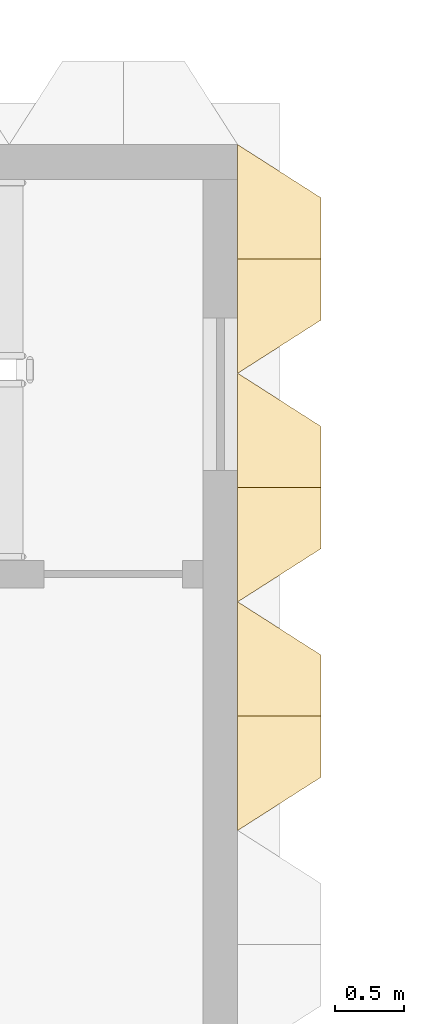
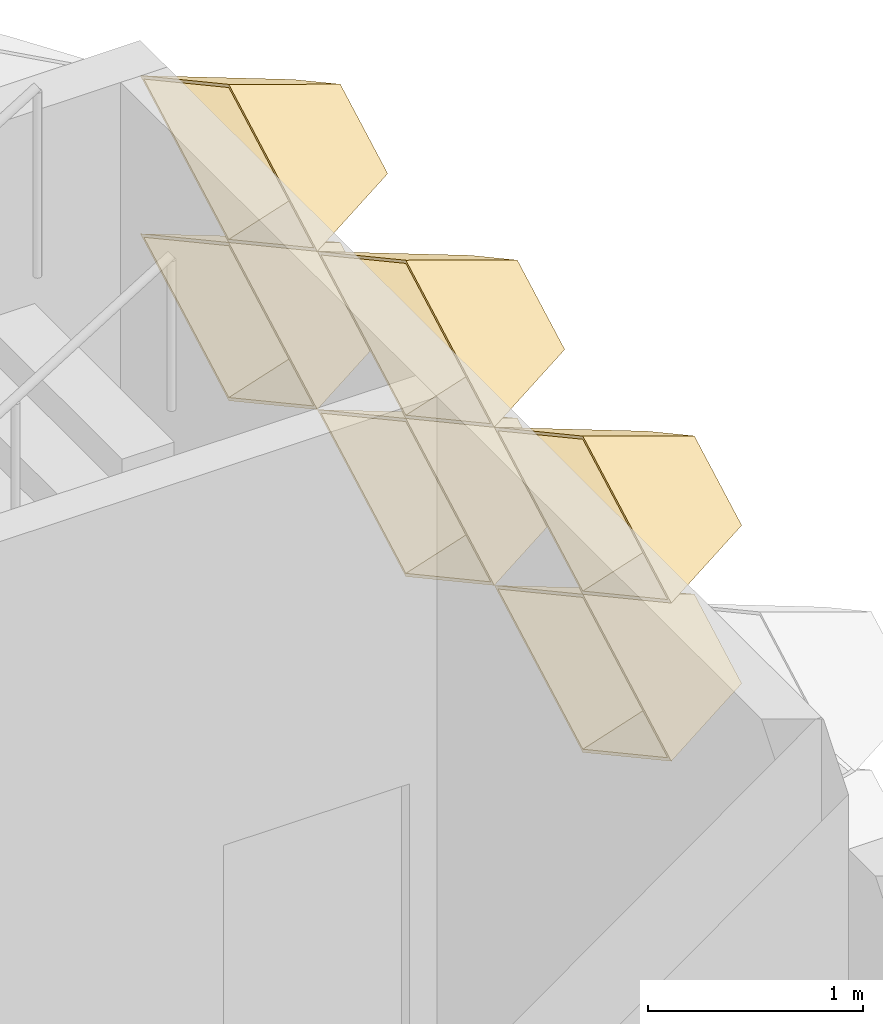
# One storey, part 100 of 109: 6 coverings.
"""IFC4 building model written with IfcOpenShell, lengths in metres."""

from ifc_helpers import new_model, entity, si_unit, direction, frame, origin, place, context, subcontext, project, spatial, material, layer, layer_set, type_object, element, save


model = new_model("IFC4")

# Units and contexts
model_context = context("Model", 3, precision=1e-05, world=origin(), true_north=direction((0.0, 1.0)))
body_context = subcontext(model_context, "Body", "Model", "MODEL_VIEW")
ifc_project = project(units=[si_unit("LENGTHUNIT", "METRE"), si_unit("AREAUNIT", "SQUARE_METRE"), si_unit("VOLUMEUNIT", "CUBIC_METRE"), si_unit("PLANEANGLEUNIT", "RADIAN"), si_unit("MASSUNIT", "GRAM", prefix="KILO")], contexts=[model_context])

# Site, building, storey
site_placement = place(None, origin())
site = spatial("IfcSite", under=ifc_project, at=site_placement, CompositionType="ELEMENT")
building_placement = place(site_placement, origin())
building = spatial("IfcBuilding", under=site, at=building_placement, Name="Lantern Court Research Institute", CompositionType="ELEMENT")
storey_placement = place(building_placement, frame((0.0, 0.0, 14.39990234375)))
storey = spatial("IfcBuildingStorey", under=building, at=storey_placement, Name="L03", CompositionType="ELEMENT", Elevation=14.39990234375)

# Coverings
ifc_material = material(Name="Anodised aluminium", Category="aluminium")
ifc_layer = layer(ifc_material, 0.01611328125)
ifc_layer_set = layer_set([ifc_layer], Name="Anodised aluminium")
covering_type = type_object("IfcCoveringType", Name="Fin cassette 1650 x 900 x 600 aluminium", PredefinedType="CLADDING", material=ifc_layer_set)
covering_1_placement = place(storey_placement, frame((79.199951171875, 94.875, 3.150146484375), z_axis=(1.0, 0.0, 0.0), x_axis=(0.0, 1.0, 0.0)))
cartesian_point_1 = entity("IfcCartesianPoint", [0.824951171875, 0.0])
cartesian_point_2 = entity("IfcCartesianPoint", [0.79150390625, 0.0])
cartesian_point_3 = entity("IfcCartesianPoint", [0.44189453125, 0.0])
cartesian_point_4 = entity("IfcCartesianPoint", [0.43359375, 0.0])
element("IfcCovering", 1, at=covering_1_placement, inside=storey, type_object=covering_type, Name="Fin cassette V6E-L03 4.58", PredefinedType="CLADDING", context=body_context, shape_type="SweptSolid", body=[
    entity("IfcExtrudedAreaSolidTapered", entity("IfcArbitraryProfileDefWithVoids", "AREA", None, entity("IfcPolyline", [cartesian_point_1, entity("IfcCartesianPoint", [0.0, 0.449951171875]), entity("IfcCartesianPoint", [-0.824951171875, 0.0]), entity("IfcCartesianPoint", [0.0, -0.449951171875]), cartesian_point_1]), [entity("IfcPolyline", [cartesian_point_2, entity("IfcCartesianPoint", [0.0, 0.431884765625]), entity("IfcCartesianPoint", [-0.79150390625, 0.0]), entity("IfcCartesianPoint", [0.0, -0.431884765625]), cartesian_point_2])]), entity("IfcAxis2Placement3D", entity("IfcCartesianPoint", [0.0, 0.0, 0.0])), entity("IfcDirection", [0.0, 0.0, 1.0]), 0.60009765625, entity("IfcArbitraryProfileDefWithVoids", "AREA", None, entity("IfcPolyline", [cartesian_point_3, entity("IfcCartesianPoint", [0.0, 0.240966796875]), entity("IfcCartesianPoint", [-0.44189453125, 0.0]), entity("IfcCartesianPoint", [0.0, -0.240966796875]), cartesian_point_3]), [entity("IfcPolyline", [cartesian_point_4, entity("IfcCartesianPoint", [0.0, 0.236572265625]), entity("IfcCartesianPoint", [-0.43359375, 0.0]), entity("IfcCartesianPoint", [0.0, -0.236572265625]), cartesian_point_4])])),
])
covering_2_placement = place(storey_placement, frame((79.199951171875, 96.52490234375, 3.150146484375), z_axis=(1.0, 0.0, 0.0), x_axis=(0.0, 1.0, 0.0)))
cartesian_point_5 = entity("IfcCartesianPoint", [0.824951171875, 0.0])
cartesian_point_6 = entity("IfcCartesianPoint", [0.79150390625, 0.0])
cartesian_point_7 = entity("IfcCartesianPoint", [0.44189453125, 0.0])
cartesian_point_8 = entity("IfcCartesianPoint", [0.43359375, 0.0])
element("IfcCovering", 2, at=covering_2_placement, inside=storey, type_object=covering_type, Name="Fin cassette V6E-L03 4.59", PredefinedType="CLADDING", context=body_context, shape_type="SweptSolid", body=[
    entity("IfcExtrudedAreaSolidTapered", entity("IfcArbitraryProfileDefWithVoids", "AREA", None, entity("IfcPolyline", [cartesian_point_5, entity("IfcCartesianPoint", [0.0, 0.449951171875]), entity("IfcCartesianPoint", [-0.824951171875, 0.0]), entity("IfcCartesianPoint", [0.0, -0.449951171875]), cartesian_point_5]), [entity("IfcPolyline", [cartesian_point_6, entity("IfcCartesianPoint", [0.0, 0.431884765625]), entity("IfcCartesianPoint", [-0.79150390625, 0.0]), entity("IfcCartesianPoint", [0.0, -0.431884765625]), cartesian_point_6])]), entity("IfcAxis2Placement3D", entity("IfcCartesianPoint", [0.0, 0.0, 0.0])), entity("IfcDirection", [0.0, 0.0, 1.0]), 0.60009765625, entity("IfcArbitraryProfileDefWithVoids", "AREA", None, entity("IfcPolyline", [cartesian_point_7, entity("IfcCartesianPoint", [0.0, 0.240966796875]), entity("IfcCartesianPoint", [-0.44189453125, 0.0]), entity("IfcCartesianPoint", [0.0, -0.240966796875]), cartesian_point_7]), [entity("IfcPolyline", [cartesian_point_8, entity("IfcCartesianPoint", [0.0, 0.236572265625]), entity("IfcCartesianPoint", [-0.43359375, 0.0]), entity("IfcCartesianPoint", [0.0, -0.236572265625]), cartesian_point_8])])),
])
covering_3_placement = place(storey_placement, frame((79.199951171875, 98.175048828125, 3.150146484375), z_axis=(1.0, 0.0, 0.0), x_axis=(0.0, 1.0, 0.0)))
cartesian_point_9 = entity("IfcCartesianPoint", [0.824951171875, 0.0])
cartesian_point_10 = entity("IfcCartesianPoint", [0.79150390625, 0.0])
cartesian_point_11 = entity("IfcCartesianPoint", [0.44189453125, 0.0])
cartesian_point_12 = entity("IfcCartesianPoint", [0.43359375, 0.0])
element("IfcCovering", 3, at=covering_3_placement, inside=storey, type_object=covering_type, Name="Fin cassette V6E-L03 4.60", PredefinedType="CLADDING", context=body_context, shape_type="SweptSolid", body=[
    entity("IfcExtrudedAreaSolidTapered", entity("IfcArbitraryProfileDefWithVoids", "AREA", None, entity("IfcPolyline", [cartesian_point_9, entity("IfcCartesianPoint", [0.0, 0.449951171875]), entity("IfcCartesianPoint", [-0.824951171875, 0.0]), entity("IfcCartesianPoint", [0.0, -0.449951171875]), cartesian_point_9]), [entity("IfcPolyline", [cartesian_point_10, entity("IfcCartesianPoint", [0.0, 0.431884765625]), entity("IfcCartesianPoint", [-0.79150390625, 0.0]), entity("IfcCartesianPoint", [0.0, -0.431884765625]), cartesian_point_10])]), entity("IfcAxis2Placement3D", entity("IfcCartesianPoint", [0.0, 0.0, 0.0])), entity("IfcDirection", [0.0, 0.0, 1.0]), 0.60009765625, entity("IfcArbitraryProfileDefWithVoids", "AREA", None, entity("IfcPolyline", [cartesian_point_11, entity("IfcCartesianPoint", [0.0, 0.240966796875]), entity("IfcCartesianPoint", [-0.44189453125, 0.0]), entity("IfcCartesianPoint", [0.0, -0.240966796875]), cartesian_point_11]), [entity("IfcPolyline", [cartesian_point_12, entity("IfcCartesianPoint", [0.0, 0.236572265625]), entity("IfcCartesianPoint", [-0.43359375, 0.0]), entity("IfcCartesianPoint", [0.0, -0.236572265625]), cartesian_point_12])])),
])
covering_4_placement = place(storey_placement, frame((79.199951171875, 94.875, 4.050048828125), z_axis=(1.0, 0.0, 0.0), x_axis=(0.0, 1.0, 0.0)))
cartesian_point_13 = entity("IfcCartesianPoint", [0.824951171875, 0.0])
cartesian_point_14 = entity("IfcCartesianPoint", [0.79150390625, 0.0])
cartesian_point_15 = entity("IfcCartesianPoint", [0.44189453125, 0.0])
cartesian_point_16 = entity("IfcCartesianPoint", [0.43359375, 0.0])
element("IfcCovering", 4, at=covering_4_placement, inside=storey, type_object=covering_type, Name="Fin cassette V6E-L03 5.58", PredefinedType="CLADDING", context=body_context, shape_type="SweptSolid", body=[
    entity("IfcExtrudedAreaSolidTapered", entity("IfcArbitraryProfileDefWithVoids", "AREA", None, entity("IfcPolyline", [cartesian_point_13, entity("IfcCartesianPoint", [0.0, 0.449951171875]), entity("IfcCartesianPoint", [-0.824951171875, 0.0]), entity("IfcCartesianPoint", [0.0, -0.449951171875]), cartesian_point_13]), [entity("IfcPolyline", [cartesian_point_14, entity("IfcCartesianPoint", [0.0, 0.431884765625]), entity("IfcCartesianPoint", [-0.79150390625, 0.0]), entity("IfcCartesianPoint", [0.0, -0.431884765625]), cartesian_point_14])]), entity("IfcAxis2Placement3D", entity("IfcCartesianPoint", [0.0, 0.0, 0.0])), entity("IfcDirection", [0.0, 0.0, 1.0]), 0.60009765625, entity("IfcArbitraryProfileDefWithVoids", "AREA", None, entity("IfcPolyline", [cartesian_point_15, entity("IfcCartesianPoint", [0.0, 0.240966796875]), entity("IfcCartesianPoint", [-0.44189453125, 0.0]), entity("IfcCartesianPoint", [0.0, -0.240966796875]), cartesian_point_15]), [entity("IfcPolyline", [cartesian_point_16, entity("IfcCartesianPoint", [0.0, 0.236572265625]), entity("IfcCartesianPoint", [-0.43359375, 0.0]), entity("IfcCartesianPoint", [0.0, -0.236572265625]), cartesian_point_16])])),
])
covering_5_placement = place(storey_placement, frame((79.199951171875, 96.52490234375, 4.050048828125), z_axis=(1.0, 0.0, 0.0), x_axis=(0.0, 1.0, 0.0)))
cartesian_point_17 = entity("IfcCartesianPoint", [0.824951171875, 0.0])
cartesian_point_18 = entity("IfcCartesianPoint", [0.79150390625, 0.0])
cartesian_point_19 = entity("IfcCartesianPoint", [0.44189453125, 0.0])
cartesian_point_20 = entity("IfcCartesianPoint", [0.43359375, 0.0])
element("IfcCovering", 5, at=covering_5_placement, inside=storey, type_object=covering_type, Name="Fin cassette V6E-L03 5.59", PredefinedType="CLADDING", context=body_context, shape_type="SweptSolid", body=[
    entity("IfcExtrudedAreaSolidTapered", entity("IfcArbitraryProfileDefWithVoids", "AREA", None, entity("IfcPolyline", [cartesian_point_17, entity("IfcCartesianPoint", [0.0, 0.449951171875]), entity("IfcCartesianPoint", [-0.824951171875, 0.0]), entity("IfcCartesianPoint", [0.0, -0.449951171875]), cartesian_point_17]), [entity("IfcPolyline", [cartesian_point_18, entity("IfcCartesianPoint", [0.0, 0.431884765625]), entity("IfcCartesianPoint", [-0.79150390625, 0.0]), entity("IfcCartesianPoint", [0.0, -0.431884765625]), cartesian_point_18])]), entity("IfcAxis2Placement3D", entity("IfcCartesianPoint", [0.0, 0.0, 0.0])), entity("IfcDirection", [0.0, 0.0, 1.0]), 0.60009765625, entity("IfcArbitraryProfileDefWithVoids", "AREA", None, entity("IfcPolyline", [cartesian_point_19, entity("IfcCartesianPoint", [0.0, 0.240966796875]), entity("IfcCartesianPoint", [-0.44189453125, 0.0]), entity("IfcCartesianPoint", [0.0, -0.240966796875]), cartesian_point_19]), [entity("IfcPolyline", [cartesian_point_20, entity("IfcCartesianPoint", [0.0, 0.236572265625]), entity("IfcCartesianPoint", [-0.43359375, 0.0]), entity("IfcCartesianPoint", [0.0, -0.236572265625]), cartesian_point_20])])),
])
covering_6_placement = place(storey_placement, frame((79.199951171875, 98.175048828125, 4.050048828125), z_axis=(1.0, 0.0, 0.0), x_axis=(0.0, 1.0, 0.0)))
cartesian_point_21 = entity("IfcCartesianPoint", [0.824951171875, 0.0])
cartesian_point_22 = entity("IfcCartesianPoint", [0.79150390625, 0.0])
cartesian_point_23 = entity("IfcCartesianPoint", [0.44189453125, 0.0])
cartesian_point_24 = entity("IfcCartesianPoint", [0.43359375, 0.0])
element("IfcCovering", 6, at=covering_6_placement, inside=storey, type_object=covering_type, Name="Fin cassette V6E-L03 5.60", PredefinedType="CLADDING", context=body_context, shape_type="SweptSolid", body=[
    entity("IfcExtrudedAreaSolidTapered", entity("IfcArbitraryProfileDefWithVoids", "AREA", None, entity("IfcPolyline", [cartesian_point_21, entity("IfcCartesianPoint", [0.0, 0.449951171875]), entity("IfcCartesianPoint", [-0.824951171875, 0.0]), entity("IfcCartesianPoint", [0.0, -0.449951171875]), cartesian_point_21]), [entity("IfcPolyline", [cartesian_point_22, entity("IfcCartesianPoint", [0.0, 0.431884765625]), entity("IfcCartesianPoint", [-0.79150390625, 0.0]), entity("IfcCartesianPoint", [0.0, -0.431884765625]), cartesian_point_22])]), entity("IfcAxis2Placement3D", entity("IfcCartesianPoint", [0.0, 0.0, 0.0])), entity("IfcDirection", [0.0, 0.0, 1.0]), 0.60009765625, entity("IfcArbitraryProfileDefWithVoids", "AREA", None, entity("IfcPolyline", [cartesian_point_23, entity("IfcCartesianPoint", [0.0, 0.240966796875]), entity("IfcCartesianPoint", [-0.44189453125, 0.0]), entity("IfcCartesianPoint", [0.0, -0.240966796875]), cartesian_point_23]), [entity("IfcPolyline", [cartesian_point_24, entity("IfcCartesianPoint", [0.0, 0.236572265625]), entity("IfcCartesianPoint", [-0.43359375, 0.0]), entity("IfcCartesianPoint", [0.0, -0.236572265625]), cartesian_point_24])])),
])

save(model, "model.ifc")
